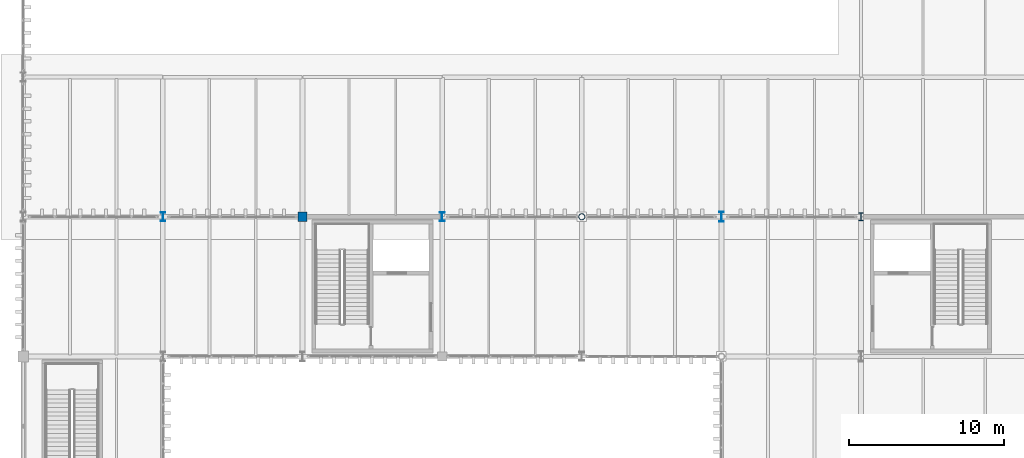
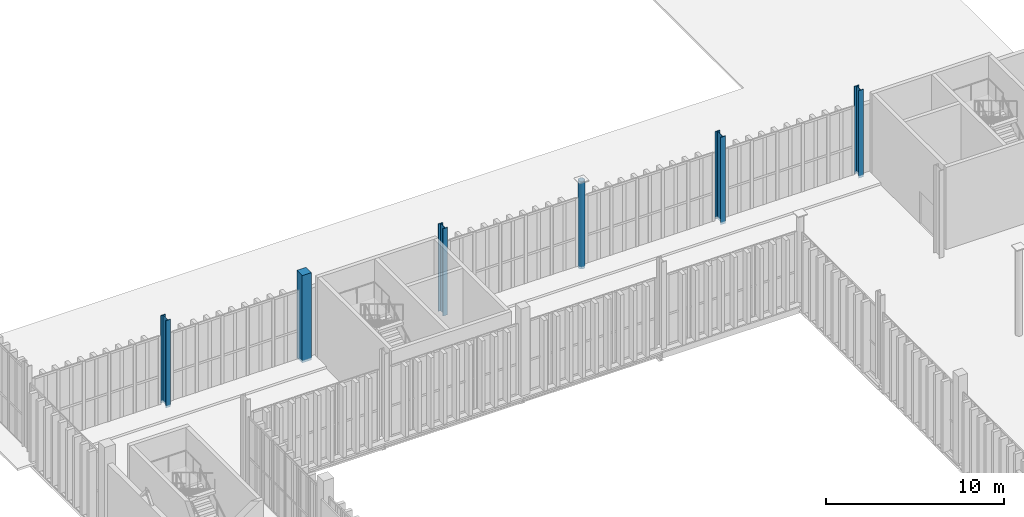
# One storey, part 20 of 237: 6 columns.
"""IFC4 building model written with IfcOpenShell, lengths in metres."""

from ifc_helpers import new_model, si_unit, direction, frame, origin, origin_2d, place, context, subcontext, project, spatial, rectangle, hollow_circle, i_section, extrude, material, material_profile, profile_set, type_object, element, save


model = new_model("IFC4")

# Units and contexts
model_context = context("Model", 3, precision=1e-05, world=origin(), true_north=direction((0.0, 1.0)))
body_context = subcontext(model_context, "Body", "Model", "MODEL_VIEW")
ifc_project = project(units=[si_unit("LENGTHUNIT", "METRE"), si_unit("AREAUNIT", "SQUARE_METRE"), si_unit("VOLUMEUNIT", "CUBIC_METRE"), si_unit("PLANEANGLEUNIT", "RADIAN"), si_unit("MASSUNIT", "GRAM", prefix="KILO")], contexts=[model_context])

# Site, building, storey
site_placement = place(None, origin())
site = spatial("IfcSite", under=ifc_project, at=site_placement, CompositionType="ELEMENT")
building_placement = place(site_placement, origin())
building = spatial("IfcBuilding", under=site, at=building_placement, Name="Barlavento Convention Centre", CompositionType="ELEMENT")
storey_placement = place(building_placement, frame((0.0, 0.0, 12.0)))
storey = spatial("IfcBuildingStorey", under=building, at=storey_placement, Name="L02", CompositionType="ELEMENT", Elevation=12.0)

# Columns
ifc_material_1 = material(Name="Steel S355", Category="steel")
ifc_material_profile_1 = material_profile(ifc_material_1, hollow_circle(Radius=0.203125, WallThickness=0.01611328125, at=origin_2d()), Name="CHS 406.4x16.0")
ifc_profile_set_1 = profile_set([ifc_material_profile_1], Name="Steel S355")
column_type_1 = type_object("IfcColumnType", Name="STR-COL-CHS406", PredefinedType="COLUMN", material=ifc_profile_set_1)
column_1_placement = place(storey_placement, frame((162.0, 99.0, 0.0), z_axis=(0.0, 0.0, 1.0), x_axis=(1.0, 0.0, 0.0)))
element("IfcColumn", 1, at=column_1_placement, inside=storey, type_object=column_type_1, Name="L02 column SC14", PredefinedType="COLUMN", context=body_context, shape_type="SweptSolid", body=[
    extrude(hollow_circle(Radius=0.203125, WallThickness=0.01611328125, at=origin_2d()), origin(), (0.0, 0.0, 1.0), 6.0),
])
ifc_material_profile_2 = material_profile(ifc_material_1, i_section(OverallWidth=0.300048828125, OverallDepth=0.60009765625, WebThickness=0.015380859375, FlangeThickness=0.030029296875, FilletRadius=0.027099609375, at=origin_2d()), Name="HEB 600")
ifc_profile_set_2 = profile_set([ifc_material_profile_2], Name="Steel S355")
column_type_2 = type_object("IfcColumnType", Name="STR-COL-HEB600", PredefinedType="COLUMN", material=ifc_profile_set_2)
column_2_placement = place(storey_placement, frame((135.0, 99.0, 0.0), z_axis=(0.0, 0.0, 1.0), x_axis=(1.0, 0.0, 0.0)))
element("IfcColumn", 2, at=column_2_placement, inside=storey, type_object=column_type_2, Name="L02 column SC08", PredefinedType="COLUMN", context=body_context, shape_type="SweptSolid", body=[
    extrude(i_section(OverallWidth=0.300048828125, OverallDepth=0.60009765625, WebThickness=0.015380859375, FlangeThickness=0.030029296875, FilletRadius=0.027099609375, at=origin_2d()), origin(), (0.0, 0.0, 1.0), 6.0),
])
ifc_material_profile_3 = material_profile(ifc_material_1, i_section(OverallWidth=0.305908203125, OverallDepth=0.52392578125, WebThickness=0.02099609375, FlangeThickness=0.0400390625, FilletRadius=0.027099609375, at=origin_2d()), Name="HEM 500")
ifc_profile_set_3 = profile_set([ifc_material_profile_3], Name="Steel S355")
column_type_3 = type_object("IfcColumnType", Name="STR-COL-HEM500", PredefinedType="COLUMN", material=ifc_profile_set_3)
column_3_placement = place(storey_placement, frame((180.0, 99.0, 0.0), z_axis=(0.0, 0.0, 1.0), x_axis=(1.0, 0.0, 0.0)))
element("IfcColumn", 3, at=column_3_placement, inside=storey, type_object=column_type_3, Name="L02 column SC07", PredefinedType="COLUMN", context=body_context, shape_type="SweptSolid", body=[
    extrude(i_section(OverallWidth=0.305908203125, OverallDepth=0.52392578125, WebThickness=0.02099609375, FlangeThickness=0.0400390625, FilletRadius=0.027099609375, at=origin_2d()), origin(), (0.0, 0.0, 1.0), 6.0),
])
ifc_material_profile_4 = material_profile(ifc_material_1, i_section(OverallWidth=0.305908203125, OverallDepth=0.572021484375, WebThickness=0.02099609375, FlangeThickness=0.0400390625, FilletRadius=0.027099609375, at=origin_2d()), Name="HEM 550")
ifc_profile_set_4 = profile_set([ifc_material_profile_4], Name="Steel S355")
column_type_4 = type_object("IfcColumnType", Name="STR-COL-HEM550", PredefinedType="COLUMN", material=ifc_profile_set_4)
column_4_placement = place(storey_placement, frame((153.0, 99.0, 0.0), z_axis=(0.0, 0.0, 1.0), x_axis=(1.0, 0.0, 0.0)))
element("IfcColumn", 4, at=column_4_placement, inside=storey, type_object=column_type_4, Name="L02 column SC06", PredefinedType="COLUMN", context=body_context, shape_type="SweptSolid", body=[
    extrude(i_section(OverallWidth=0.305908203125, OverallDepth=0.572021484375, WebThickness=0.02099609375, FlangeThickness=0.0400390625, FilletRadius=0.027099609375, at=origin_2d()), origin(), (0.0, 0.0, 1.0), 6.0),
])
ifc_material_2 = material(Name="Steel S460", Category="steel")
ifc_material_profile_5 = material_profile(ifc_material_2, i_section(OverallWidth=0.304931640625, OverallDepth=0.66796875, WebThickness=0.02099609375, FlangeThickness=0.0400390625, FilletRadius=0.027099609375, at=origin_2d()), Name="HEM 650")
ifc_profile_set_5 = profile_set([ifc_material_profile_5], Name="Steel S460")
column_type_5 = type_object("IfcColumnType", Name="STR-COL-HEM650", PredefinedType="COLUMN", material=ifc_profile_set_5)
column_5_placement = place(storey_placement, frame((171.0, 99.0, 0.0), z_axis=(0.0, 0.0, 1.0), x_axis=(1.0, 0.0, 0.0)))
element("IfcColumn", 5, at=column_5_placement, inside=storey, type_object=column_type_5, Name="L02 column SC04", PredefinedType="COLUMN", context=body_context, shape_type="SweptSolid", body=[
    extrude(i_section(OverallWidth=0.304931640625, OverallDepth=0.66796875, WebThickness=0.02099609375, FlangeThickness=0.0400390625, FilletRadius=0.027099609375, at=origin_2d()), origin(), (0.0, 0.0, 1.0), 6.0),
])
ifc_material_3 = material(Name="Concrete C40/50", Category="concrete")
ifc_material_profile_6 = material_profile(ifc_material_3, rectangle(XDim=0.60009765625, YDim=0.60009765625, at=origin_2d()), Name="RC 600x600")
ifc_profile_set_6 = profile_set([ifc_material_profile_6], Name="Concrete C40/50")
column_type_6 = type_object("IfcColumnType", Name="STR-COL-RC600", PredefinedType="COLUMN", material=ifc_profile_set_6)
column_6_placement = place(storey_placement, frame((144.0, 99.0, 0.0), z_axis=(0.0, 0.0, 1.0), x_axis=(1.0, 0.0, 0.0)))
element("IfcColumn", 6, at=column_6_placement, inside=storey, type_object=column_type_6, Name="L02 column CC07", PredefinedType="COLUMN", context=body_context, shape_type="SweptSolid", body=[
    extrude(rectangle(XDim=0.60009765625, YDim=0.60009765625, at=origin_2d()), origin(), (0.0, 0.0, 1.0), 6.0),
])

save(model, "model.ifc")
